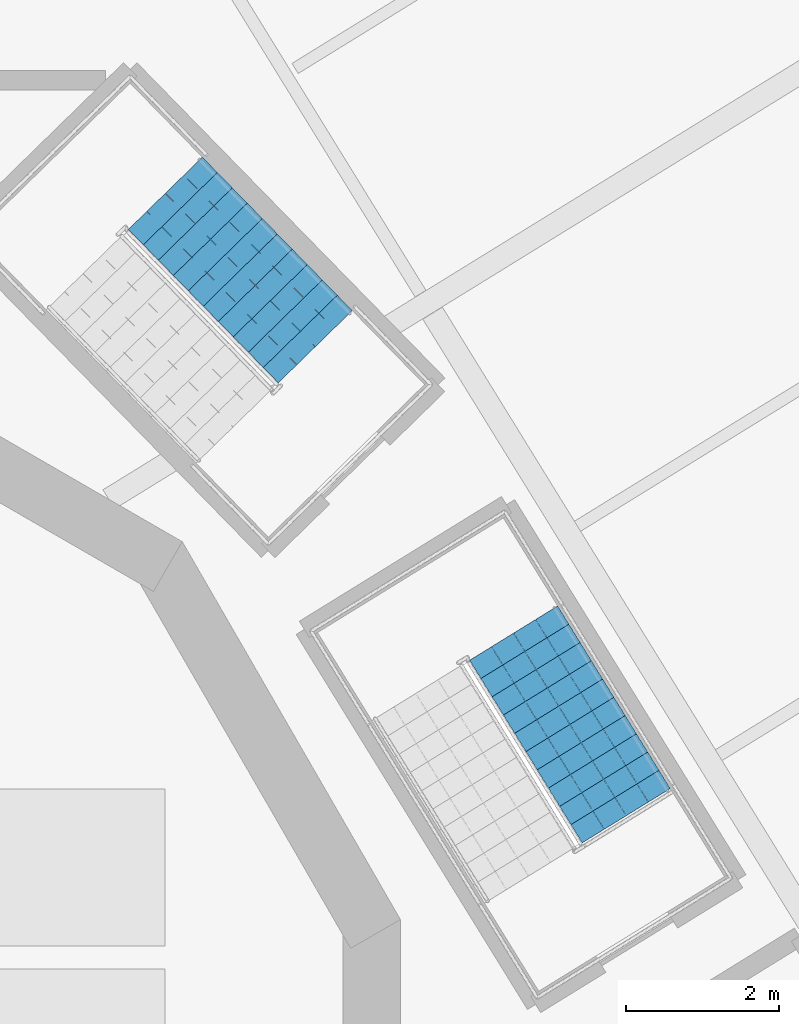
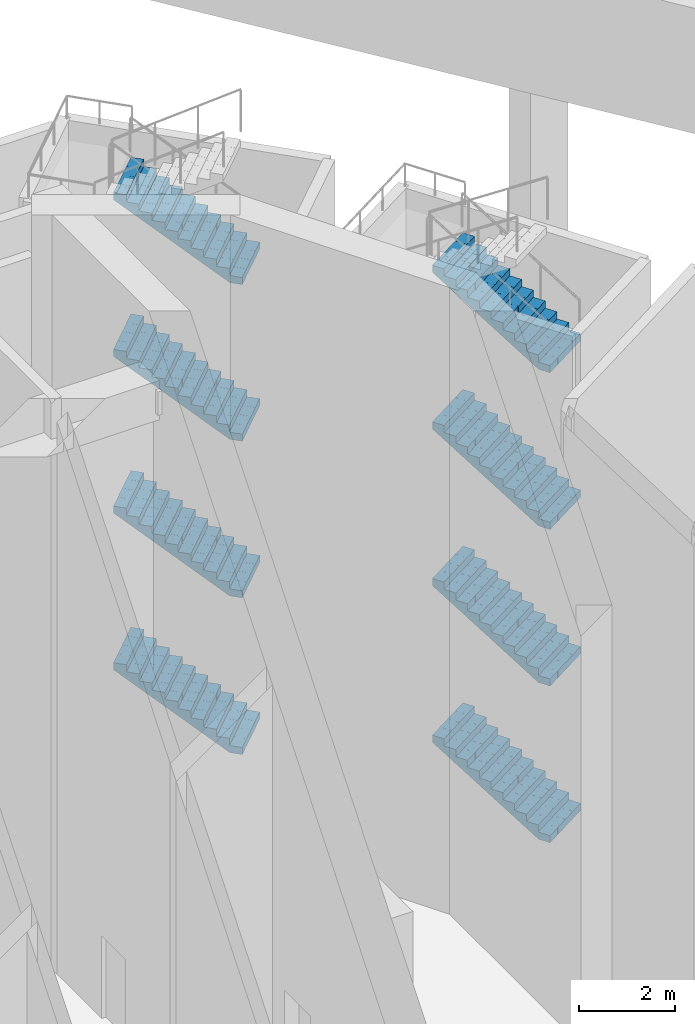
# One storey, part 8 of 15: 8 stair flights, 2 elements without a shape of their own.
"""IFC4 building model written with IfcOpenShell, lengths in metres."""

from ifc_helpers import new_model, si_unit, direction, frame, origin, place, context, subcontext, project, spatial, polyline, outline, extrude, material, type_object, element, aggregate, save


model = new_model("IFC4")

# Units and contexts
model_context = context("Model", 3, precision=1e-05, world=origin(), true_north=direction((0.0, 1.0)))
body_context = subcontext(model_context, "Body", "Model", "MODEL_VIEW")
ifc_project = project(units=[si_unit("LENGTHUNIT", "METRE"), si_unit("AREAUNIT", "SQUARE_METRE"), si_unit("VOLUMEUNIT", "CUBIC_METRE"), si_unit("PLANEANGLEUNIT", "RADIAN"), si_unit("MASSUNIT", "GRAM", prefix="KILO")], contexts=[model_context])

# Site, building, storey
site_placement = place(None, origin())
site = spatial("IfcSite", under=ifc_project, at=site_placement, CompositionType="ELEMENT")
building_placement = place(site_placement, origin())
building = spatial("IfcBuilding", under=site, at=building_placement, Name="Cantera Rosa Tower", CompositionType="ELEMENT")
storey_placement = place(building_placement, frame((0.0, 0.0, 189.39990234375)))
storey = spatial("IfcBuildingStorey", under=building, at=storey_placement, Name="L42", CompositionType="ELEMENT", Elevation=189.39990234375)

# Stair, stair flights
ifc_material_1 = material(Name="Concrete C35/45", Category="concrete")
stair_type = type_object("IfcStairType", Name="EXIT STAIR 1350 DOGLEG", PredefinedType="HALF_TURN_STAIR", material=ifc_material_1)
stair_1_placement = place(storey_placement, origin())
stair_1 = element("IfcStair", 1, at=stair_1_placement, inside=storey, type_object=stair_type, Name="L42 ST-41", PredefinedType="HALF_TURN_STAIR")
ifc_material_2 = material(Name="Concrete C35/45", Category="concrete")
stair_flight_type = type_object("IfcStairFlightType", Name="STAIR FLIGHT 1350 R88x182", PredefinedType="STRAIGHT", material=ifc_material_2)
stair_flight_1_placement = place(storey_placement, frame((13.5732421875, 4.2021484375, 0.0), z_axis=(0.0, 0.0, 1.0), x_axis=(-0.524976585286, 0.851116669383, 0.0)))
stair_flight_1 = element("IfcStairFlight", 2, at=stair_flight_1_placement, type_object=stair_flight_type, Name="ST-41 flight 1", NumberOfRisers=11, NumberOfTreads=10, PredefinedType="STRAIGHT", RiserHeight=0.181818182, TreadLength=0.28, context=body_context, shape_type="SweptSolid", body=[
    extrude(outline(polyline([(0.0, 0.0), (0.0, 0.181884765625), (0.280029296875, 0.181884765625), (0.280029296875, 0.363525390625), (0.56005859375, 0.363525390625), (0.56005859375, 0.54541015625), (0.840087890625, 0.54541015625), (0.840087890625, 0.727294921875), (1.1201171875, 0.727294921875), (1.1201171875, 0.9091796875), (1.39990234375, 0.9091796875), (1.39990234375, 1.0908203125), (1.679931640625, 1.0908203125), (1.679931640625, 1.272705078125), (1.9599609375, 1.272705078125), (1.9599609375, 1.45458984375), (2.239990234375, 1.45458984375), (2.239990234375, 1.636474609375), (2.52001953125, 1.636474609375), (2.52001953125, 1.818115234375), (2.800048828125, 1.818115234375), (2.800048828125, 2.0), (2.800048828125, 1.639404296875), (0.275146484375, 0.0), (0.0, 0.0)])), frame((0.0, 0.675048828125, 0.0), z_axis=(0.0, -1.0, 0.0), x_axis=(1.0, 0.0, 0.0)), (0.0, 0.0, 1.0), 0.3359375),
    extrude(outline(polyline([(0.0, 0.0), (0.0, 0.181884765625), (0.280029296875, 0.181884765625), (0.280029296875, 0.363525390625), (0.56005859375, 0.363525390625), (0.56005859375, 0.54541015625), (0.840087890625, 0.54541015625), (0.840087890625, 0.727294921875), (1.1201171875, 0.727294921875), (1.1201171875, 0.9091796875), (1.39990234375, 0.9091796875), (1.39990234375, 1.0908203125), (1.679931640625, 1.0908203125), (1.679931640625, 1.272705078125), (1.9599609375, 1.272705078125), (1.9599609375, 1.45458984375), (2.239990234375, 1.45458984375), (2.239990234375, 1.636474609375), (2.52001953125, 1.636474609375), (2.52001953125, 1.818115234375), (2.800048828125, 1.818115234375), (2.800048828125, 2.0), (2.800048828125, 1.639404296875), (0.275146484375, 0.0), (0.0, 0.0)])), frame((0.0, 0.337158203125, 0.0), z_axis=(0.0, -1.0, 0.0), x_axis=(1.0, 0.0, 0.0)), (0.0, 0.0, 1.0), 0.3359375),
    extrude(outline(polyline([(0.0, 0.0), (0.0, 0.181884765625), (0.280029296875, 0.181884765625), (0.280029296875, 0.363525390625), (0.56005859375, 0.363525390625), (0.56005859375, 0.54541015625), (0.840087890625, 0.54541015625), (0.840087890625, 0.727294921875), (1.1201171875, 0.727294921875), (1.1201171875, 0.9091796875), (1.39990234375, 0.9091796875), (1.39990234375, 1.0908203125), (1.679931640625, 1.0908203125), (1.679931640625, 1.272705078125), (1.9599609375, 1.272705078125), (1.9599609375, 1.45458984375), (2.239990234375, 1.45458984375), (2.239990234375, 1.636474609375), (2.52001953125, 1.636474609375), (2.52001953125, 1.818115234375), (2.800048828125, 1.818115234375), (2.800048828125, 2.0), (2.800048828125, 1.639404296875), (0.275146484375, 0.0), (0.0, 0.0)])), frame((0.0, -0.000732421875, 0.0), z_axis=(0.0, -1.0, 0.0), x_axis=(1.0, 0.0, 0.0)), (0.0, 0.0, 1.0), 0.3359375),
    extrude(outline(polyline([(0.0, 0.0), (0.0, 0.181884765625), (0.280029296875, 0.181884765625), (0.280029296875, 0.363525390625), (0.56005859375, 0.363525390625), (0.56005859375, 0.54541015625), (0.840087890625, 0.54541015625), (0.840087890625, 0.727294921875), (1.1201171875, 0.727294921875), (1.1201171875, 0.9091796875), (1.39990234375, 0.9091796875), (1.39990234375, 1.0908203125), (1.679931640625, 1.0908203125), (1.679931640625, 1.272705078125), (1.9599609375, 1.272705078125), (1.9599609375, 1.45458984375), (2.239990234375, 1.45458984375), (2.239990234375, 1.636474609375), (2.52001953125, 1.636474609375), (2.52001953125, 1.818115234375), (2.800048828125, 1.818115234375), (2.800048828125, 2.0), (2.800048828125, 1.639404296875), (0.275146484375, 0.0), (0.0, 0.0)])), frame((0.0, -0.338623046875, 0.0), z_axis=(0.0, -1.0, 0.0), x_axis=(1.0, 0.0, 0.0)), (0.0, 0.0, 1.0), 0.3359375),
])
stair_flight_2_placement = place(storey_placement, frame((13.5732421875, 4.2021484375, 4.0), z_axis=(0.0, 0.0, 1.0), x_axis=(-0.524976585286, 0.851116669383, 0.0)))
stair_flight_2 = element("IfcStairFlight", 3, at=stair_flight_2_placement, type_object=stair_flight_type, Name="ST-41 flight 3", NumberOfRisers=11, NumberOfTreads=10, PredefinedType="STRAIGHT", RiserHeight=0.181818182, TreadLength=0.28, context=body_context, shape_type="SweptSolid", body=[
    extrude(outline(polyline([(0.0, 0.0), (0.0, 0.181884765625), (0.280029296875, 0.181884765625), (0.280029296875, 0.363525390625), (0.56005859375, 0.363525390625), (0.56005859375, 0.54541015625), (0.840087890625, 0.54541015625), (0.840087890625, 0.727294921875), (1.1201171875, 0.727294921875), (1.1201171875, 0.9091796875), (1.39990234375, 0.9091796875), (1.39990234375, 1.0908203125), (1.679931640625, 1.0908203125), (1.679931640625, 1.272705078125), (1.9599609375, 1.272705078125), (1.9599609375, 1.45458984375), (2.239990234375, 1.45458984375), (2.239990234375, 1.636474609375), (2.52001953125, 1.636474609375), (2.52001953125, 1.818115234375), (2.800048828125, 1.818115234375), (2.800048828125, 2.0), (2.800048828125, 1.639404296875), (0.275146484375, 0.0), (0.0, 0.0)])), frame((0.0, 0.675048828125, 0.0), z_axis=(0.0, -1.0, 0.0), x_axis=(1.0, 0.0, 0.0)), (0.0, 0.0, 1.0), 0.3359375),
    extrude(outline(polyline([(0.0, 0.0), (0.0, 0.181884765625), (0.280029296875, 0.181884765625), (0.280029296875, 0.363525390625), (0.56005859375, 0.363525390625), (0.56005859375, 0.54541015625), (0.840087890625, 0.54541015625), (0.840087890625, 0.727294921875), (1.1201171875, 0.727294921875), (1.1201171875, 0.9091796875), (1.39990234375, 0.9091796875), (1.39990234375, 1.0908203125), (1.679931640625, 1.0908203125), (1.679931640625, 1.272705078125), (1.9599609375, 1.272705078125), (1.9599609375, 1.45458984375), (2.239990234375, 1.45458984375), (2.239990234375, 1.636474609375), (2.52001953125, 1.636474609375), (2.52001953125, 1.818115234375), (2.800048828125, 1.818115234375), (2.800048828125, 2.0), (2.800048828125, 1.639404296875), (0.275146484375, 0.0), (0.0, 0.0)])), frame((0.0, 0.337158203125, 0.0), z_axis=(0.0, -1.0, 0.0), x_axis=(1.0, 0.0, 0.0)), (0.0, 0.0, 1.0), 0.3359375),
    extrude(outline(polyline([(0.0, 0.0), (0.0, 0.181884765625), (0.280029296875, 0.181884765625), (0.280029296875, 0.363525390625), (0.56005859375, 0.363525390625), (0.56005859375, 0.54541015625), (0.840087890625, 0.54541015625), (0.840087890625, 0.727294921875), (1.1201171875, 0.727294921875), (1.1201171875, 0.9091796875), (1.39990234375, 0.9091796875), (1.39990234375, 1.0908203125), (1.679931640625, 1.0908203125), (1.679931640625, 1.272705078125), (1.9599609375, 1.272705078125), (1.9599609375, 1.45458984375), (2.239990234375, 1.45458984375), (2.239990234375, 1.636474609375), (2.52001953125, 1.636474609375), (2.52001953125, 1.818115234375), (2.800048828125, 1.818115234375), (2.800048828125, 2.0), (2.800048828125, 1.639404296875), (0.275146484375, 0.0), (0.0, 0.0)])), frame((0.0, -0.000732421875, 0.0), z_axis=(0.0, -1.0, 0.0), x_axis=(1.0, 0.0, 0.0)), (0.0, 0.0, 1.0), 0.3359375),
    extrude(outline(polyline([(0.0, 0.0), (0.0, 0.181884765625), (0.280029296875, 0.181884765625), (0.280029296875, 0.363525390625), (0.56005859375, 0.363525390625), (0.56005859375, 0.54541015625), (0.840087890625, 0.54541015625), (0.840087890625, 0.727294921875), (1.1201171875, 0.727294921875), (1.1201171875, 0.9091796875), (1.39990234375, 0.9091796875), (1.39990234375, 1.0908203125), (1.679931640625, 1.0908203125), (1.679931640625, 1.272705078125), (1.9599609375, 1.272705078125), (1.9599609375, 1.45458984375), (2.239990234375, 1.45458984375), (2.239990234375, 1.636474609375), (2.52001953125, 1.636474609375), (2.52001953125, 1.818115234375), (2.800048828125, 1.818115234375), (2.800048828125, 2.0), (2.800048828125, 1.639404296875), (0.275146484375, 0.0), (0.0, 0.0)])), frame((0.0, -0.338623046875, 0.0), z_axis=(0.0, -1.0, 0.0), x_axis=(1.0, 0.0, 0.0)), (0.0, 0.0, 1.0), 0.3359375),
])
stair_flight_3_placement = place(storey_placement, frame((13.5732421875, 4.2021484375, 8.0), z_axis=(0.0, 0.0, 1.0), x_axis=(-0.524976585286, 0.851116669383, 0.0)))
stair_flight_3 = element("IfcStairFlight", 4, at=stair_flight_3_placement, type_object=stair_flight_type, Name="ST-41 flight 5", NumberOfRisers=11, NumberOfTreads=10, PredefinedType="STRAIGHT", RiserHeight=0.181818182, TreadLength=0.28, context=body_context, shape_type="SweptSolid", body=[
    extrude(outline(polyline([(0.0, 0.0), (0.0, 0.181884765625), (0.280029296875, 0.181884765625), (0.280029296875, 0.363525390625), (0.56005859375, 0.363525390625), (0.56005859375, 0.54541015625), (0.840087890625, 0.54541015625), (0.840087890625, 0.727294921875), (1.1201171875, 0.727294921875), (1.1201171875, 0.9091796875), (1.39990234375, 0.9091796875), (1.39990234375, 1.0908203125), (1.679931640625, 1.0908203125), (1.679931640625, 1.272705078125), (1.9599609375, 1.272705078125), (1.9599609375, 1.45458984375), (2.239990234375, 1.45458984375), (2.239990234375, 1.636474609375), (2.52001953125, 1.636474609375), (2.52001953125, 1.818115234375), (2.800048828125, 1.818115234375), (2.800048828125, 2.0), (2.800048828125, 1.639404296875), (0.275146484375, 0.0), (0.0, 0.0)])), frame((0.0, 0.675048828125, 0.0), z_axis=(0.0, -1.0, 0.0), x_axis=(1.0, 0.0, 0.0)), (0.0, 0.0, 1.0), 0.3359375),
    extrude(outline(polyline([(0.0, 0.0), (0.0, 0.181884765625), (0.280029296875, 0.181884765625), (0.280029296875, 0.363525390625), (0.56005859375, 0.363525390625), (0.56005859375, 0.54541015625), (0.840087890625, 0.54541015625), (0.840087890625, 0.727294921875), (1.1201171875, 0.727294921875), (1.1201171875, 0.9091796875), (1.39990234375, 0.9091796875), (1.39990234375, 1.0908203125), (1.679931640625, 1.0908203125), (1.679931640625, 1.272705078125), (1.9599609375, 1.272705078125), (1.9599609375, 1.45458984375), (2.239990234375, 1.45458984375), (2.239990234375, 1.636474609375), (2.52001953125, 1.636474609375), (2.52001953125, 1.818115234375), (2.800048828125, 1.818115234375), (2.800048828125, 2.0), (2.800048828125, 1.639404296875), (0.275146484375, 0.0), (0.0, 0.0)])), frame((0.0, 0.337158203125, 0.0), z_axis=(0.0, -1.0, 0.0), x_axis=(1.0, 0.0, 0.0)), (0.0, 0.0, 1.0), 0.3359375),
    extrude(outline(polyline([(0.0, 0.0), (0.0, 0.181884765625), (0.280029296875, 0.181884765625), (0.280029296875, 0.363525390625), (0.56005859375, 0.363525390625), (0.56005859375, 0.54541015625), (0.840087890625, 0.54541015625), (0.840087890625, 0.727294921875), (1.1201171875, 0.727294921875), (1.1201171875, 0.9091796875), (1.39990234375, 0.9091796875), (1.39990234375, 1.0908203125), (1.679931640625, 1.0908203125), (1.679931640625, 1.272705078125), (1.9599609375, 1.272705078125), (1.9599609375, 1.45458984375), (2.239990234375, 1.45458984375), (2.239990234375, 1.636474609375), (2.52001953125, 1.636474609375), (2.52001953125, 1.818115234375), (2.800048828125, 1.818115234375), (2.800048828125, 2.0), (2.800048828125, 1.639404296875), (0.275146484375, 0.0), (0.0, 0.0)])), frame((0.0, -0.000732421875, 0.0), z_axis=(0.0, -1.0, 0.0), x_axis=(1.0, 0.0, 0.0)), (0.0, 0.0, 1.0), 0.3359375),
    extrude(outline(polyline([(0.0, 0.0), (0.0, 0.181884765625), (0.280029296875, 0.181884765625), (0.280029296875, 0.363525390625), (0.56005859375, 0.363525390625), (0.56005859375, 0.54541015625), (0.840087890625, 0.54541015625), (0.840087890625, 0.727294921875), (1.1201171875, 0.727294921875), (1.1201171875, 0.9091796875), (1.39990234375, 0.9091796875), (1.39990234375, 1.0908203125), (1.679931640625, 1.0908203125), (1.679931640625, 1.272705078125), (1.9599609375, 1.272705078125), (1.9599609375, 1.45458984375), (2.239990234375, 1.45458984375), (2.239990234375, 1.636474609375), (2.52001953125, 1.636474609375), (2.52001953125, 1.818115234375), (2.800048828125, 1.818115234375), (2.800048828125, 2.0), (2.800048828125, 1.639404296875), (0.275146484375, 0.0), (0.0, 0.0)])), frame((0.0, -0.338623046875, 0.0), z_axis=(0.0, -1.0, 0.0), x_axis=(1.0, 0.0, 0.0)), (0.0, 0.0, 1.0), 0.3359375),
])
stair_flight_4_placement = place(storey_placement, frame((13.5732421875, 4.2021484375, 12.0), z_axis=(0.0, 0.0, 1.0), x_axis=(-0.524976585286, 0.851116669383, 0.0)))
stair_flight_4 = element("IfcStairFlight", 5, at=stair_flight_4_placement, type_object=stair_flight_type, Name="ST-41 flight 7", NumberOfRisers=11, NumberOfTreads=10, PredefinedType="STRAIGHT", RiserHeight=0.181818182, TreadLength=0.28, context=body_context, shape_type="SweptSolid", body=[
    extrude(outline(polyline([(0.0, 0.0), (0.0, 0.181884765625), (0.280029296875, 0.181884765625), (0.280029296875, 0.363525390625), (0.56005859375, 0.363525390625), (0.56005859375, 0.54541015625), (0.840087890625, 0.54541015625), (0.840087890625, 0.727294921875), (1.1201171875, 0.727294921875), (1.1201171875, 0.9091796875), (1.39990234375, 0.9091796875), (1.39990234375, 1.0908203125), (1.679931640625, 1.0908203125), (1.679931640625, 1.272705078125), (1.9599609375, 1.272705078125), (1.9599609375, 1.45458984375), (2.239990234375, 1.45458984375), (2.239990234375, 1.636474609375), (2.52001953125, 1.636474609375), (2.52001953125, 1.818115234375), (2.800048828125, 1.818115234375), (2.800048828125, 2.0), (2.800048828125, 1.639404296875), (0.275146484375, 0.0), (0.0, 0.0)])), frame((0.0, 0.675048828125, 0.0), z_axis=(0.0, -1.0, 0.0), x_axis=(1.0, 0.0, 0.0)), (0.0, 0.0, 1.0), 0.3359375),
    extrude(outline(polyline([(0.0, 0.0), (0.0, 0.181884765625), (0.280029296875, 0.181884765625), (0.280029296875, 0.363525390625), (0.56005859375, 0.363525390625), (0.56005859375, 0.54541015625), (0.840087890625, 0.54541015625), (0.840087890625, 0.727294921875), (1.1201171875, 0.727294921875), (1.1201171875, 0.9091796875), (1.39990234375, 0.9091796875), (1.39990234375, 1.0908203125), (1.679931640625, 1.0908203125), (1.679931640625, 1.272705078125), (1.9599609375, 1.272705078125), (1.9599609375, 1.45458984375), (2.239990234375, 1.45458984375), (2.239990234375, 1.636474609375), (2.52001953125, 1.636474609375), (2.52001953125, 1.818115234375), (2.800048828125, 1.818115234375), (2.800048828125, 2.0), (2.800048828125, 1.639404296875), (0.275146484375, 0.0), (0.0, 0.0)])), frame((0.0, 0.337158203125, 0.0), z_axis=(0.0, -1.0, 0.0), x_axis=(1.0, 0.0, 0.0)), (0.0, 0.0, 1.0), 0.3359375),
    extrude(outline(polyline([(0.0, 0.0), (0.0, 0.181884765625), (0.280029296875, 0.181884765625), (0.280029296875, 0.363525390625), (0.56005859375, 0.363525390625), (0.56005859375, 0.54541015625), (0.840087890625, 0.54541015625), (0.840087890625, 0.727294921875), (1.1201171875, 0.727294921875), (1.1201171875, 0.9091796875), (1.39990234375, 0.9091796875), (1.39990234375, 1.0908203125), (1.679931640625, 1.0908203125), (1.679931640625, 1.272705078125), (1.9599609375, 1.272705078125), (1.9599609375, 1.45458984375), (2.239990234375, 1.45458984375), (2.239990234375, 1.636474609375), (2.52001953125, 1.636474609375), (2.52001953125, 1.818115234375), (2.800048828125, 1.818115234375), (2.800048828125, 2.0), (2.800048828125, 1.639404296875), (0.275146484375, 0.0), (0.0, 0.0)])), frame((0.0, -0.000732421875, 0.0), z_axis=(0.0, -1.0, 0.0), x_axis=(1.0, 0.0, 0.0)), (0.0, 0.0, 1.0), 0.3359375),
    extrude(outline(polyline([(0.0, 0.0), (0.0, 0.181884765625), (0.280029296875, 0.181884765625), (0.280029296875, 0.363525390625), (0.56005859375, 0.363525390625), (0.56005859375, 0.54541015625), (0.840087890625, 0.54541015625), (0.840087890625, 0.727294921875), (1.1201171875, 0.727294921875), (1.1201171875, 0.9091796875), (1.39990234375, 0.9091796875), (1.39990234375, 1.0908203125), (1.679931640625, 1.0908203125), (1.679931640625, 1.272705078125), (1.9599609375, 1.272705078125), (1.9599609375, 1.45458984375), (2.239990234375, 1.45458984375), (2.239990234375, 1.636474609375), (2.52001953125, 1.636474609375), (2.52001953125, 1.818115234375), (2.800048828125, 1.818115234375), (2.800048828125, 2.0), (2.800048828125, 1.639404296875), (0.275146484375, 0.0), (0.0, 0.0)])), frame((0.0, -0.338623046875, 0.0), z_axis=(0.0, -1.0, 0.0), x_axis=(1.0, 0.0, 0.0)), (0.0, 0.0, 1.0), 0.3359375),
])
aggregate(stair_1, [stair_flight_1, stair_flight_2, stair_flight_3, stair_flight_4])

stair_2_placement = place(storey_placement, origin())
stair_2 = element("IfcStair", 6, at=stair_2_placement, inside=storey, type_object=stair_type, Name="L42 ST-42", PredefinedType="HALF_TURN_STAIR")
stair_flight_5_placement = place(storey_placement, frame((9.514892578125, 10.32275390625, 0.0), z_axis=(0.0, 0.0, 1.0), x_axis=(-0.698831536207, 0.715286295132, 0.0)))
stair_flight_5 = element("IfcStairFlight", 7, at=stair_flight_5_placement, type_object=stair_flight_type, Name="ST-42 flight 1", NumberOfRisers=11, NumberOfTreads=10, PredefinedType="STRAIGHT", RiserHeight=0.181818182, TreadLength=0.28, context=body_context, shape_type="SweptSolid", body=[
    extrude(outline(polyline([(0.0, 0.0), (0.0, 0.181884765625), (0.280029296875, 0.181884765625), (0.280029296875, 0.363525390625), (0.56005859375, 0.363525390625), (0.56005859375, 0.54541015625), (0.840087890625, 0.54541015625), (0.840087890625, 0.727294921875), (1.1201171875, 0.727294921875), (1.1201171875, 0.9091796875), (1.39990234375, 0.9091796875), (1.39990234375, 1.0908203125), (1.679931640625, 1.0908203125), (1.679931640625, 1.272705078125), (1.9599609375, 1.272705078125), (1.9599609375, 1.45458984375), (2.239990234375, 1.45458984375), (2.239990234375, 1.636474609375), (2.52001953125, 1.636474609375), (2.52001953125, 1.818115234375), (2.800048828125, 1.818115234375), (2.800048828125, 2.0), (2.800048828125, 1.639404296875), (0.275146484375, 0.0), (0.0, 0.0)])), frame((0.0, 0.675048828125, 0.0), z_axis=(0.0, -1.0, 0.0), x_axis=(1.0, 0.0, 0.0)), (0.0, 0.0, 1.0), 0.3359375),
    extrude(outline(polyline([(0.0, 0.0), (0.0, 0.181884765625), (0.280029296875, 0.181884765625), (0.280029296875, 0.363525390625), (0.56005859375, 0.363525390625), (0.56005859375, 0.54541015625), (0.840087890625, 0.54541015625), (0.840087890625, 0.727294921875), (1.1201171875, 0.727294921875), (1.1201171875, 0.9091796875), (1.39990234375, 0.9091796875), (1.39990234375, 1.0908203125), (1.679931640625, 1.0908203125), (1.679931640625, 1.272705078125), (1.9599609375, 1.272705078125), (1.9599609375, 1.45458984375), (2.239990234375, 1.45458984375), (2.239990234375, 1.636474609375), (2.52001953125, 1.636474609375), (2.52001953125, 1.818115234375), (2.800048828125, 1.818115234375), (2.800048828125, 2.0), (2.800048828125, 1.639404296875), (0.275146484375, 0.0), (0.0, 0.0)])), frame((0.0, 0.337158203125, 0.0), z_axis=(0.0, -1.0, 0.0), x_axis=(1.0, 0.0, 0.0)), (0.0, 0.0, 1.0), 0.3359375),
    extrude(outline(polyline([(0.0, 0.0), (0.0, 0.181884765625), (0.280029296875, 0.181884765625), (0.280029296875, 0.363525390625), (0.56005859375, 0.363525390625), (0.56005859375, 0.54541015625), (0.840087890625, 0.54541015625), (0.840087890625, 0.727294921875), (1.1201171875, 0.727294921875), (1.1201171875, 0.9091796875), (1.39990234375, 0.9091796875), (1.39990234375, 1.0908203125), (1.679931640625, 1.0908203125), (1.679931640625, 1.272705078125), (1.9599609375, 1.272705078125), (1.9599609375, 1.45458984375), (2.239990234375, 1.45458984375), (2.239990234375, 1.636474609375), (2.52001953125, 1.636474609375), (2.52001953125, 1.818115234375), (2.800048828125, 1.818115234375), (2.800048828125, 2.0), (2.800048828125, 1.639404296875), (0.275146484375, 0.0), (0.0, 0.0)])), frame((0.0, -0.000732421875, 0.0), z_axis=(0.0, -1.0, 0.0), x_axis=(1.0, 0.0, 0.0)), (0.0, 0.0, 1.0), 0.3359375),
    extrude(outline(polyline([(0.0, 0.0), (0.0, 0.181884765625), (0.280029296875, 0.181884765625), (0.280029296875, 0.363525390625), (0.56005859375, 0.363525390625), (0.56005859375, 0.54541015625), (0.840087890625, 0.54541015625), (0.840087890625, 0.727294921875), (1.1201171875, 0.727294921875), (1.1201171875, 0.9091796875), (1.39990234375, 0.9091796875), (1.39990234375, 1.0908203125), (1.679931640625, 1.0908203125), (1.679931640625, 1.272705078125), (1.9599609375, 1.272705078125), (1.9599609375, 1.45458984375), (2.239990234375, 1.45458984375), (2.239990234375, 1.636474609375), (2.52001953125, 1.636474609375), (2.52001953125, 1.818115234375), (2.800048828125, 1.818115234375), (2.800048828125, 2.0), (2.800048828125, 1.639404296875), (0.275146484375, 0.0), (0.0, 0.0)])), frame((0.0, -0.338623046875, 0.0), z_axis=(0.0, -1.0, 0.0), x_axis=(1.0, 0.0, 0.0)), (0.0, 0.0, 1.0), 0.3359375),
])
stair_flight_6_placement = place(storey_placement, frame((9.514892578125, 10.32275390625, 4.0), z_axis=(0.0, 0.0, 1.0), x_axis=(-0.698831536207, 0.715286295132, 0.0)))
stair_flight_6 = element("IfcStairFlight", 8, at=stair_flight_6_placement, type_object=stair_flight_type, Name="ST-42 flight 3", NumberOfRisers=11, NumberOfTreads=10, PredefinedType="STRAIGHT", RiserHeight=0.181818182, TreadLength=0.28, context=body_context, shape_type="SweptSolid", body=[
    extrude(outline(polyline([(0.0, 0.0), (0.0, 0.181884765625), (0.280029296875, 0.181884765625), (0.280029296875, 0.363525390625), (0.56005859375, 0.363525390625), (0.56005859375, 0.54541015625), (0.840087890625, 0.54541015625), (0.840087890625, 0.727294921875), (1.1201171875, 0.727294921875), (1.1201171875, 0.9091796875), (1.39990234375, 0.9091796875), (1.39990234375, 1.0908203125), (1.679931640625, 1.0908203125), (1.679931640625, 1.272705078125), (1.9599609375, 1.272705078125), (1.9599609375, 1.45458984375), (2.239990234375, 1.45458984375), (2.239990234375, 1.636474609375), (2.52001953125, 1.636474609375), (2.52001953125, 1.818115234375), (2.800048828125, 1.818115234375), (2.800048828125, 2.0), (2.800048828125, 1.639404296875), (0.275146484375, 0.0), (0.0, 0.0)])), frame((0.0, 0.675048828125, 0.0), z_axis=(0.0, -1.0, 0.0), x_axis=(1.0, 0.0, 0.0)), (0.0, 0.0, 1.0), 0.3359375),
    extrude(outline(polyline([(0.0, 0.0), (0.0, 0.181884765625), (0.280029296875, 0.181884765625), (0.280029296875, 0.363525390625), (0.56005859375, 0.363525390625), (0.56005859375, 0.54541015625), (0.840087890625, 0.54541015625), (0.840087890625, 0.727294921875), (1.1201171875, 0.727294921875), (1.1201171875, 0.9091796875), (1.39990234375, 0.9091796875), (1.39990234375, 1.0908203125), (1.679931640625, 1.0908203125), (1.679931640625, 1.272705078125), (1.9599609375, 1.272705078125), (1.9599609375, 1.45458984375), (2.239990234375, 1.45458984375), (2.239990234375, 1.636474609375), (2.52001953125, 1.636474609375), (2.52001953125, 1.818115234375), (2.800048828125, 1.818115234375), (2.800048828125, 2.0), (2.800048828125, 1.639404296875), (0.275146484375, 0.0), (0.0, 0.0)])), frame((0.0, 0.337158203125, 0.0), z_axis=(0.0, -1.0, 0.0), x_axis=(1.0, 0.0, 0.0)), (0.0, 0.0, 1.0), 0.3359375),
    extrude(outline(polyline([(0.0, 0.0), (0.0, 0.181884765625), (0.280029296875, 0.181884765625), (0.280029296875, 0.363525390625), (0.56005859375, 0.363525390625), (0.56005859375, 0.54541015625), (0.840087890625, 0.54541015625), (0.840087890625, 0.727294921875), (1.1201171875, 0.727294921875), (1.1201171875, 0.9091796875), (1.39990234375, 0.9091796875), (1.39990234375, 1.0908203125), (1.679931640625, 1.0908203125), (1.679931640625, 1.272705078125), (1.9599609375, 1.272705078125), (1.9599609375, 1.45458984375), (2.239990234375, 1.45458984375), (2.239990234375, 1.636474609375), (2.52001953125, 1.636474609375), (2.52001953125, 1.818115234375), (2.800048828125, 1.818115234375), (2.800048828125, 2.0), (2.800048828125, 1.639404296875), (0.275146484375, 0.0), (0.0, 0.0)])), frame((0.0, -0.000732421875, 0.0), z_axis=(0.0, -1.0, 0.0), x_axis=(1.0, 0.0, 0.0)), (0.0, 0.0, 1.0), 0.3359375),
    extrude(outline(polyline([(0.0, 0.0), (0.0, 0.181884765625), (0.280029296875, 0.181884765625), (0.280029296875, 0.363525390625), (0.56005859375, 0.363525390625), (0.56005859375, 0.54541015625), (0.840087890625, 0.54541015625), (0.840087890625, 0.727294921875), (1.1201171875, 0.727294921875), (1.1201171875, 0.9091796875), (1.39990234375, 0.9091796875), (1.39990234375, 1.0908203125), (1.679931640625, 1.0908203125), (1.679931640625, 1.272705078125), (1.9599609375, 1.272705078125), (1.9599609375, 1.45458984375), (2.239990234375, 1.45458984375), (2.239990234375, 1.636474609375), (2.52001953125, 1.636474609375), (2.52001953125, 1.818115234375), (2.800048828125, 1.818115234375), (2.800048828125, 2.0), (2.800048828125, 1.639404296875), (0.275146484375, 0.0), (0.0, 0.0)])), frame((0.0, -0.338623046875, 0.0), z_axis=(0.0, -1.0, 0.0), x_axis=(1.0, 0.0, 0.0)), (0.0, 0.0, 1.0), 0.3359375),
])
stair_flight_7_placement = place(storey_placement, frame((9.514892578125, 10.32275390625, 8.0), z_axis=(0.0, 0.0, 1.0), x_axis=(-0.698831536207, 0.715286295132, 0.0)))
stair_flight_7 = element("IfcStairFlight", 9, at=stair_flight_7_placement, type_object=stair_flight_type, Name="ST-42 flight 5", NumberOfRisers=11, NumberOfTreads=10, PredefinedType="STRAIGHT", RiserHeight=0.181818182, TreadLength=0.28, context=body_context, shape_type="SweptSolid", body=[
    extrude(outline(polyline([(0.0, 0.0), (0.0, 0.181884765625), (0.280029296875, 0.181884765625), (0.280029296875, 0.363525390625), (0.56005859375, 0.363525390625), (0.56005859375, 0.54541015625), (0.840087890625, 0.54541015625), (0.840087890625, 0.727294921875), (1.1201171875, 0.727294921875), (1.1201171875, 0.9091796875), (1.39990234375, 0.9091796875), (1.39990234375, 1.0908203125), (1.679931640625, 1.0908203125), (1.679931640625, 1.272705078125), (1.9599609375, 1.272705078125), (1.9599609375, 1.45458984375), (2.239990234375, 1.45458984375), (2.239990234375, 1.636474609375), (2.52001953125, 1.636474609375), (2.52001953125, 1.818115234375), (2.800048828125, 1.818115234375), (2.800048828125, 2.0), (2.800048828125, 1.639404296875), (0.275146484375, 0.0), (0.0, 0.0)])), frame((0.0, 0.675048828125, 0.0), z_axis=(0.0, -1.0, 0.0), x_axis=(1.0, 0.0, 0.0)), (0.0, 0.0, 1.0), 0.3359375),
    extrude(outline(polyline([(0.0, 0.0), (0.0, 0.181884765625), (0.280029296875, 0.181884765625), (0.280029296875, 0.363525390625), (0.56005859375, 0.363525390625), (0.56005859375, 0.54541015625), (0.840087890625, 0.54541015625), (0.840087890625, 0.727294921875), (1.1201171875, 0.727294921875), (1.1201171875, 0.9091796875), (1.39990234375, 0.9091796875), (1.39990234375, 1.0908203125), (1.679931640625, 1.0908203125), (1.679931640625, 1.272705078125), (1.9599609375, 1.272705078125), (1.9599609375, 1.45458984375), (2.239990234375, 1.45458984375), (2.239990234375, 1.636474609375), (2.52001953125, 1.636474609375), (2.52001953125, 1.818115234375), (2.800048828125, 1.818115234375), (2.800048828125, 2.0), (2.800048828125, 1.639404296875), (0.275146484375, 0.0), (0.0, 0.0)])), frame((0.0, 0.337158203125, 0.0), z_axis=(0.0, -1.0, 0.0), x_axis=(1.0, 0.0, 0.0)), (0.0, 0.0, 1.0), 0.3359375),
    extrude(outline(polyline([(0.0, 0.0), (0.0, 0.181884765625), (0.280029296875, 0.181884765625), (0.280029296875, 0.363525390625), (0.56005859375, 0.363525390625), (0.56005859375, 0.54541015625), (0.840087890625, 0.54541015625), (0.840087890625, 0.727294921875), (1.1201171875, 0.727294921875), (1.1201171875, 0.9091796875), (1.39990234375, 0.9091796875), (1.39990234375, 1.0908203125), (1.679931640625, 1.0908203125), (1.679931640625, 1.272705078125), (1.9599609375, 1.272705078125), (1.9599609375, 1.45458984375), (2.239990234375, 1.45458984375), (2.239990234375, 1.636474609375), (2.52001953125, 1.636474609375), (2.52001953125, 1.818115234375), (2.800048828125, 1.818115234375), (2.800048828125, 2.0), (2.800048828125, 1.639404296875), (0.275146484375, 0.0), (0.0, 0.0)])), frame((0.0, -0.000732421875, 0.0), z_axis=(0.0, -1.0, 0.0), x_axis=(1.0, 0.0, 0.0)), (0.0, 0.0, 1.0), 0.3359375),
    extrude(outline(polyline([(0.0, 0.0), (0.0, 0.181884765625), (0.280029296875, 0.181884765625), (0.280029296875, 0.363525390625), (0.56005859375, 0.363525390625), (0.56005859375, 0.54541015625), (0.840087890625, 0.54541015625), (0.840087890625, 0.727294921875), (1.1201171875, 0.727294921875), (1.1201171875, 0.9091796875), (1.39990234375, 0.9091796875), (1.39990234375, 1.0908203125), (1.679931640625, 1.0908203125), (1.679931640625, 1.272705078125), (1.9599609375, 1.272705078125), (1.9599609375, 1.45458984375), (2.239990234375, 1.45458984375), (2.239990234375, 1.636474609375), (2.52001953125, 1.636474609375), (2.52001953125, 1.818115234375), (2.800048828125, 1.818115234375), (2.800048828125, 2.0), (2.800048828125, 1.639404296875), (0.275146484375, 0.0), (0.0, 0.0)])), frame((0.0, -0.338623046875, 0.0), z_axis=(0.0, -1.0, 0.0), x_axis=(1.0, 0.0, 0.0)), (0.0, 0.0, 1.0), 0.3359375),
])
stair_flight_8_placement = place(storey_placement, frame((9.514892578125, 10.32275390625, 12.0), z_axis=(0.0, 0.0, 1.0), x_axis=(-0.698831536207, 0.715286295132, 0.0)))
stair_flight_8 = element("IfcStairFlight", 10, at=stair_flight_8_placement, type_object=stair_flight_type, Name="ST-42 flight 7", NumberOfRisers=11, NumberOfTreads=10, PredefinedType="STRAIGHT", RiserHeight=0.181818182, TreadLength=0.28, context=body_context, shape_type="SweptSolid", body=[
    extrude(outline(polyline([(0.0, 0.0), (0.0, 0.181884765625), (0.280029296875, 0.181884765625), (0.280029296875, 0.363525390625), (0.56005859375, 0.363525390625), (0.56005859375, 0.54541015625), (0.840087890625, 0.54541015625), (0.840087890625, 0.727294921875), (1.1201171875, 0.727294921875), (1.1201171875, 0.9091796875), (1.39990234375, 0.9091796875), (1.39990234375, 1.0908203125), (1.679931640625, 1.0908203125), (1.679931640625, 1.272705078125), (1.9599609375, 1.272705078125), (1.9599609375, 1.45458984375), (2.239990234375, 1.45458984375), (2.239990234375, 1.636474609375), (2.52001953125, 1.636474609375), (2.52001953125, 1.818115234375), (2.800048828125, 1.818115234375), (2.800048828125, 2.0), (2.800048828125, 1.639404296875), (0.275146484375, 0.0), (0.0, 0.0)])), frame((0.0, 0.675048828125, 0.0), z_axis=(0.0, -1.0, 0.0), x_axis=(1.0, 0.0, 0.0)), (0.0, 0.0, 1.0), 0.3359375),
    extrude(outline(polyline([(0.0, 0.0), (0.0, 0.181884765625), (0.280029296875, 0.181884765625), (0.280029296875, 0.363525390625), (0.56005859375, 0.363525390625), (0.56005859375, 0.54541015625), (0.840087890625, 0.54541015625), (0.840087890625, 0.727294921875), (1.1201171875, 0.727294921875), (1.1201171875, 0.9091796875), (1.39990234375, 0.9091796875), (1.39990234375, 1.0908203125), (1.679931640625, 1.0908203125), (1.679931640625, 1.272705078125), (1.9599609375, 1.272705078125), (1.9599609375, 1.45458984375), (2.239990234375, 1.45458984375), (2.239990234375, 1.636474609375), (2.52001953125, 1.636474609375), (2.52001953125, 1.818115234375), (2.800048828125, 1.818115234375), (2.800048828125, 2.0), (2.800048828125, 1.639404296875), (0.275146484375, 0.0), (0.0, 0.0)])), frame((0.0, 0.337158203125, 0.0), z_axis=(0.0, -1.0, 0.0), x_axis=(1.0, 0.0, 0.0)), (0.0, 0.0, 1.0), 0.3359375),
    extrude(outline(polyline([(0.0, 0.0), (0.0, 0.181884765625), (0.280029296875, 0.181884765625), (0.280029296875, 0.363525390625), (0.56005859375, 0.363525390625), (0.56005859375, 0.54541015625), (0.840087890625, 0.54541015625), (0.840087890625, 0.727294921875), (1.1201171875, 0.727294921875), (1.1201171875, 0.9091796875), (1.39990234375, 0.9091796875), (1.39990234375, 1.0908203125), (1.679931640625, 1.0908203125), (1.679931640625, 1.272705078125), (1.9599609375, 1.272705078125), (1.9599609375, 1.45458984375), (2.239990234375, 1.45458984375), (2.239990234375, 1.636474609375), (2.52001953125, 1.636474609375), (2.52001953125, 1.818115234375), (2.800048828125, 1.818115234375), (2.800048828125, 2.0), (2.800048828125, 1.639404296875), (0.275146484375, 0.0), (0.0, 0.0)])), frame((0.0, -0.000732421875, 0.0), z_axis=(0.0, -1.0, 0.0), x_axis=(1.0, 0.0, 0.0)), (0.0, 0.0, 1.0), 0.3359375),
    extrude(outline(polyline([(0.0, 0.0), (0.0, 0.181884765625), (0.280029296875, 0.181884765625), (0.280029296875, 0.363525390625), (0.56005859375, 0.363525390625), (0.56005859375, 0.54541015625), (0.840087890625, 0.54541015625), (0.840087890625, 0.727294921875), (1.1201171875, 0.727294921875), (1.1201171875, 0.9091796875), (1.39990234375, 0.9091796875), (1.39990234375, 1.0908203125), (1.679931640625, 1.0908203125), (1.679931640625, 1.272705078125), (1.9599609375, 1.272705078125), (1.9599609375, 1.45458984375), (2.239990234375, 1.45458984375), (2.239990234375, 1.636474609375), (2.52001953125, 1.636474609375), (2.52001953125, 1.818115234375), (2.800048828125, 1.818115234375), (2.800048828125, 2.0), (2.800048828125, 1.639404296875), (0.275146484375, 0.0), (0.0, 0.0)])), frame((0.0, -0.338623046875, 0.0), z_axis=(0.0, -1.0, 0.0), x_axis=(1.0, 0.0, 0.0)), (0.0, 0.0, 1.0), 0.3359375),
])
aggregate(stair_2, [stair_flight_5, stair_flight_6, stair_flight_7, stair_flight_8])

save(model, "model.ifc")
